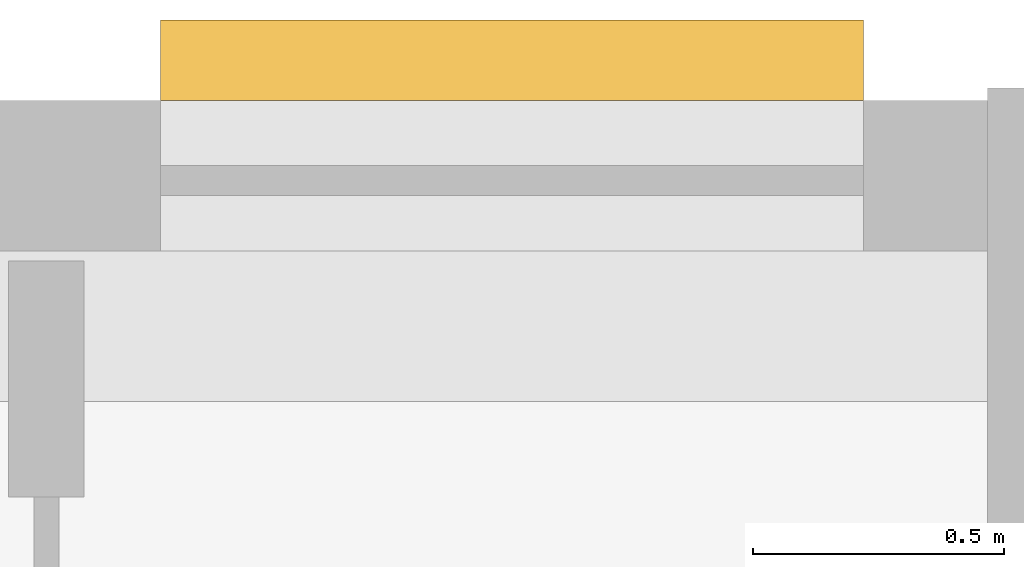
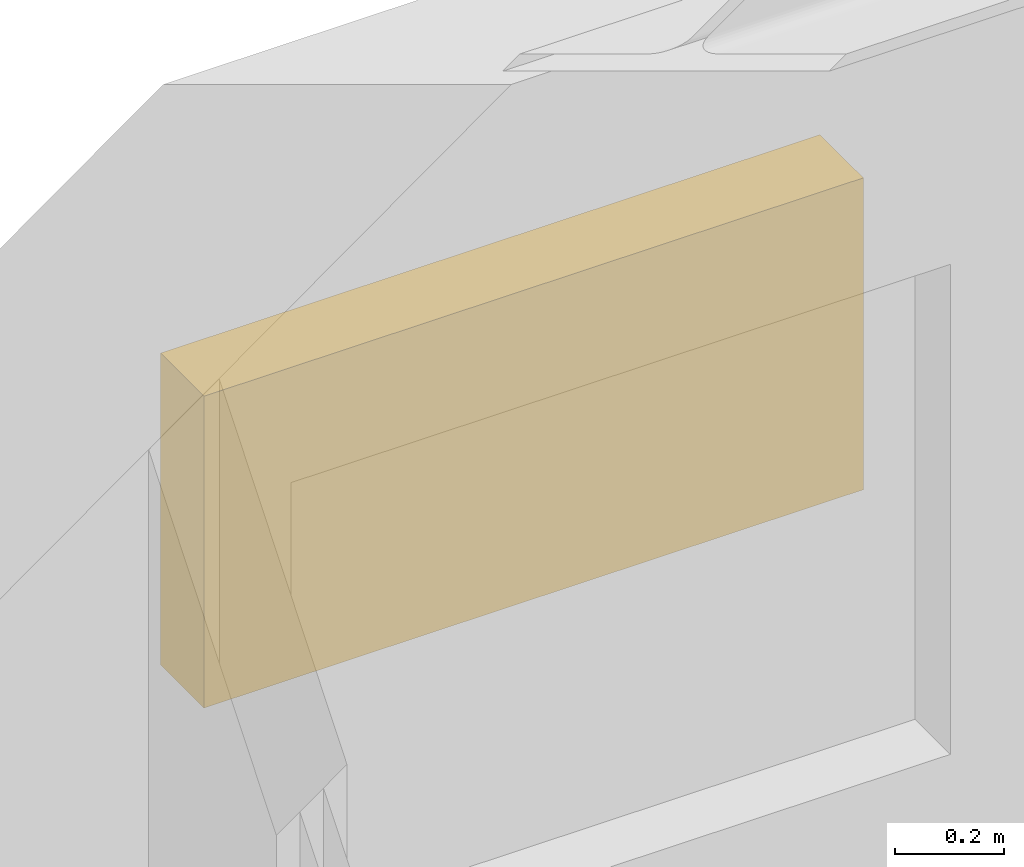
# One storey, part 9 of 9: 1 shading device.
"""IFC4 building model written with IfcOpenShell, lengths in metres."""

import ifcopenshell
import ifcopenshell.guid

model = None  # the IFC model being written
_history = None  # IfcOwnerHistory: only IFC2X3 demands one
_inside = {}  # id of a spatial element -> (the spatial element, [elements in it])
_under = {}  # id of a project, library or spatial element -> (it, [spatial elements below it])
_declared = {}  # id of a project -> (the project, [libraries it declares])
_typed = {}  # id of a type object -> (the type object, [elements of that type])
_made_of = {}  # id of a material, layer set ... -> (it, [elements and type objects made of it])


def new_model(schema):
    """Start an empty IFC model of exactly this schema.

    Asked for "IFC4X3", IfcOpenShell would pick the latest addendum, in which some entities
    have other attributes; the version numbers below select the first issue.
    IFC2X3 requires an IfcOwnerHistory on every rooted entity: one is made here for all.
    """
    global model, _history
    if schema == "IFC4X3":
        model = ifcopenshell.file(schema_version=(4, 3, 0, 0))
    else:
        model = ifcopenshell.file(schema=schema)
    _inside.clear()
    _under.clear()
    _declared.clear()
    _typed.clear()
    _made_of.clear()
    _history = None
    if model.schema == "IFC2X3":
        org = make("IfcOrganization", Name="unknown")
        user = make(
            "IfcPersonAndOrganization",
            ThePerson=make("IfcPerson", FamilyName="unknown"),
            TheOrganization=org,
        )
        app = make(
            "IfcApplication",
            ApplicationDeveloper=org,
            Version="unknown",
            ApplicationFullName="unknown",
            ApplicationIdentifier="unknown",
        )
        _history = make(
            "IfcOwnerHistory",
            OwningUser=user,
            OwningApplication=app,
            ChangeAction="ADDED",
            CreationDate=0,
        )
    return model


def make(cls, **values):
    """One entity of the class cls with the attributes given. An attribute that is None is left unset."""
    return model.create_entity(
        cls, **{name: value for name, value in values.items() if value is not None}
    )


def rooted(cls, **values):
    """An entity with a GlobalId (a new one), such as an element, a storey or a relation."""
    return make(cls, GlobalId=ifcopenshell.guid.new(), OwnerHistory=_history, **values)


def si_unit(unit_type, name, prefix=None):
    """IfcSIUnit, for example si_unit("LENGTHUNIT", "METRE", prefix="MILLI")."""
    return make("IfcSIUnit", UnitType=unit_type, Prefix=prefix, Name=name)


def assignment(units):
    """IfcUnitAssignment: the units of a project."""
    return None if units is None else make("IfcUnitAssignment", Units=units)


def point(xyz):
    """IfcCartesianPoint."""
    return None if xyz is None else make("IfcCartesianPoint", Coordinates=xyz)


def direction(xyz):
    """IfcDirection."""
    return None if xyz is None else make("IfcDirection", DirectionRatios=xyz)


def frame(location, z_axis=None, x_axis=None):
    """IfcAxis2Placement3D, a coordinate frame: its origin and axes. An axis left out is left unset."""
    return make(
        "IfcAxis2Placement3D",
        Location=point(location),
        Axis=direction(z_axis),
        RefDirection=direction(x_axis),
    )


def frame_2d(location, x_axis=None):
    """IfcAxis2Placement2D, a coordinate frame in the plane: its origin and x axis."""
    return make(
        "IfcAxis2Placement2D", Location=point(location), RefDirection=direction(x_axis)
    )


def origin():
    """The frame at (0, 0, 0) with its axes left unset."""
    return frame((0.0, 0.0, 0.0))


def origin_2d():
    """The frame at (0, 0) in the plane with its x axis left unset."""
    return frame_2d((0.0, 0.0))


def place(relative_to, where):
    """IfcLocalPlacement: puts the frame where relative to a parent placement (None: the world)."""
    return make(
        "IfcLocalPlacement", PlacementRelTo=relative_to, RelativePlacement=where
    )


def context(
    kind, dimensions, precision=None, world=None, true_north=None, identifier=None
):
    """IfcGeometricRepresentationContext, for example the 3D "Model" context."""
    return make(
        "IfcGeometricRepresentationContext",
        ContextIdentifier=identifier,
        ContextType=kind,
        CoordinateSpaceDimension=dimensions,
        Precision=precision,
        WorldCoordinateSystem=world,
        TrueNorth=true_north,
    )


def subcontext(parent, identifier, kind, view, scale=None):
    """IfcGeometricRepresentationSubContext, for example "Body" below "Model"."""
    return make(
        "IfcGeometricRepresentationSubContext",
        ContextIdentifier=identifier,
        ContextType=kind,
        ParentContext=parent,
        TargetScale=scale,
        TargetView=view,
    )


def project(units=None, contexts=None):
    """IfcProject with its units and contexts."""
    return rooted(
        "IfcProject",
        Name="project",
        RepresentationContexts=contexts,
        UnitsInContext=assignment(units),
    )


def spatial(cls, under=None, at=None, **own):
    """A site, building, storey or space (cls), placed at a placement, below another one or the project."""
    s = rooted(cls, ObjectPlacement=at, **own)
    if under is not None:
        _under.setdefault(under.id(), (under, []))[1].append(s)
    return s


def profile(cls, at=None, kind="AREA", **sizes):
    """A parametric profile (cls). Its sizes go by their IFC names, for example OverallWidth=200.0."""
    return make(cls, ProfileType=kind, Position=at, **sizes)


def rectangle(**sizes):
    """IfcRectangleProfileDef."""
    return profile("IfcRectangleProfileDef", **sizes)


def extrude(swept, where, along, depth):
    """IfcExtrudedAreaSolid: the profile swept, set in the frame where, extruded along a direction by depth."""
    return make(
        "IfcExtrudedAreaSolid",
        SweptArea=swept,
        Position=where,
        ExtrudedDirection=direction(along),
        Depth=depth,
    )


def shape(context_of_items, identifier, shape_type, items):
    """IfcShapeRepresentation: the items that make up one representation, for example the "Body"."""
    return make(
        "IfcShapeRepresentation",
        ContextOfItems=context_of_items,
        RepresentationIdentifier=identifier,
        RepresentationType=shape_type,
        Items=items,
    )


def material(Name=None, Category=None):
    """IfcMaterial."""
    return make("IfcMaterial", Name=Name, Category=Category)


def made_of(thing, what):
    """Note that an element or type object is made of a material, layer set ...; save() writes the relation."""
    if what is not None:
        _made_of.setdefault(what.id(), (what, []))[1].append(thing)
    return thing


def type_object(cls, material=None, **own):
    """A type object (cls), such as IfcWallType, which elements share."""
    return made_of(rooted(cls, **own), material)


def element(
    cls,
    number,
    at=None,
    inside=None,
    cuts=None,
    type_object=None,
    material=None,
    context=None,
    identifier="Body",
    shape_type=None,
    held_by="IfcProductDefinitionShape",
    body=None,
    shapes=None,
    **own,
):
    """One element of the class cls, such as IfcWall. Its Tag is "e" and its number.

    at: its placement. inside: the storey or other place that contains it. cuts: it is an
    opening in that element (IfcRelVoidsElement). A single representation is given by context,
    identifier, shape_type and body (its items); several are given by shapes. held_by: the class
    of the entity that holds the representations. save() writes the other relations.
    """
    e = rooted(cls, Tag="e%d" % number, ObjectPlacement=at, **own)
    if body is not None:
        shapes = [shape(context, identifier, shape_type, body)]
    if shapes is not None:
        e.Representation = make(held_by, Representations=shapes)
    if inside is not None:
        _inside.setdefault(inside.id(), (inside, []))[1].append(e)
    if cuts is not None:
        rooted(
            "IfcRelVoidsElement", RelatingBuildingElement=cuts, RelatedOpeningElement=e
        )
    if type_object is not None:
        _typed.setdefault(type_object.id(), (type_object, []))[1].append(e)
    return made_of(e, material)


def aggregate(whole, parts):
    """IfcRelAggregates: a whole, such as a stair, and the parts it consists of."""
    return rooted("IfcRelAggregates", RelatingObject=whole, RelatedObjects=parts)


def save(model, path):
    """Write the relations noted so far, then the file.

    IfcRelAggregates (storeys below a building ...), IfcRelContainedInSpatialStructure (elements
    in a storey), IfcRelDefinesByType, IfcRelAssociatesMaterial and IfcRelDeclares: one each for
    every whole, place, type object, material and project.
    """
    for whole, parts in _under.values():
        aggregate(whole, parts)
    for where, things in _inside.values():
        rooted(
            "IfcRelContainedInSpatialStructure",
            RelatedElements=things,
            RelatingStructure=where,
        )
    for kind, things in _typed.values():
        rooted("IfcRelDefinesByType", RelatedObjects=things, RelatingType=kind)
    for what, things in _made_of.values():
        rooted("IfcRelAssociatesMaterial", RelatedObjects=things, RelatingMaterial=what)
    for by, libraries in _declared.values():
        rooted("IfcRelDeclares", RelatingContext=by, RelatedDefinitions=libraries)
    model.write(path)


model = new_model("IFC4")

# Units and contexts
model_context = context("Model", 3, precision=1e-05, world=origin(), true_north=direction((0.0, 1.0)))
body_context = subcontext(model_context, "Body", "Model", "MODEL_VIEW")
ifc_project = project(units=[si_unit("LENGTHUNIT", "METRE"), si_unit("AREAUNIT", "SQUARE_METRE"), si_unit("VOLUMEUNIT", "CUBIC_METRE"), si_unit("PLANEANGLEUNIT", "RADIAN"), si_unit("MASSUNIT", "GRAM", prefix="KILO")], contexts=[model_context])

# Site, building, storey
site_placement = place(None, origin())
site = spatial("IfcSite", under=ifc_project, at=site_placement, CompositionType="ELEMENT")
building_placement = place(site_placement, origin())
building = spatial("IfcBuilding", under=site, at=building_placement, Name="Orvandelia Arch Residences", CompositionType="ELEMENT")
storey_placement = place(building_placement, frame((0.0, 0.0, 190.0)))
storey = spatial("IfcBuildingStorey", under=building, at=storey_placement, Name="L50", CompositionType="ELEMENT", Elevation=190.0)

# Shading device
ifc_material = material(Name="Anodised Champagne-Bronze Extruded Aluminium", Category="aluminium")
shading_device_type = type_object("IfcShadingDeviceType", Name="SHD-JALOUSIE-SCREEN", PredefinedType="JALOUSIE", material=ifc_material)
shading_device_placement = place(storey_placement, frame((12.9775390625, 48.080078125, 1.0498046875), z_axis=(0.0, 0.0, 1.0), x_axis=(1.0, 0.0, 0.0)))
element("IfcShadingDevice", 1, at=shading_device_placement, inside=storey, type_object=shading_device_type, Name="Bronze Jalousie Sun-Shade L50-001", PredefinedType="JALOUSIE", context=body_context, shape_type="SweptSolid", body=[
    extrude(rectangle(XDim=1.39990234375, YDim=0.159912109375, at=origin_2d()), origin(), (0.0, 0.0, 1.0), 0.699951171875),
])

save(model, "model.ifc")
